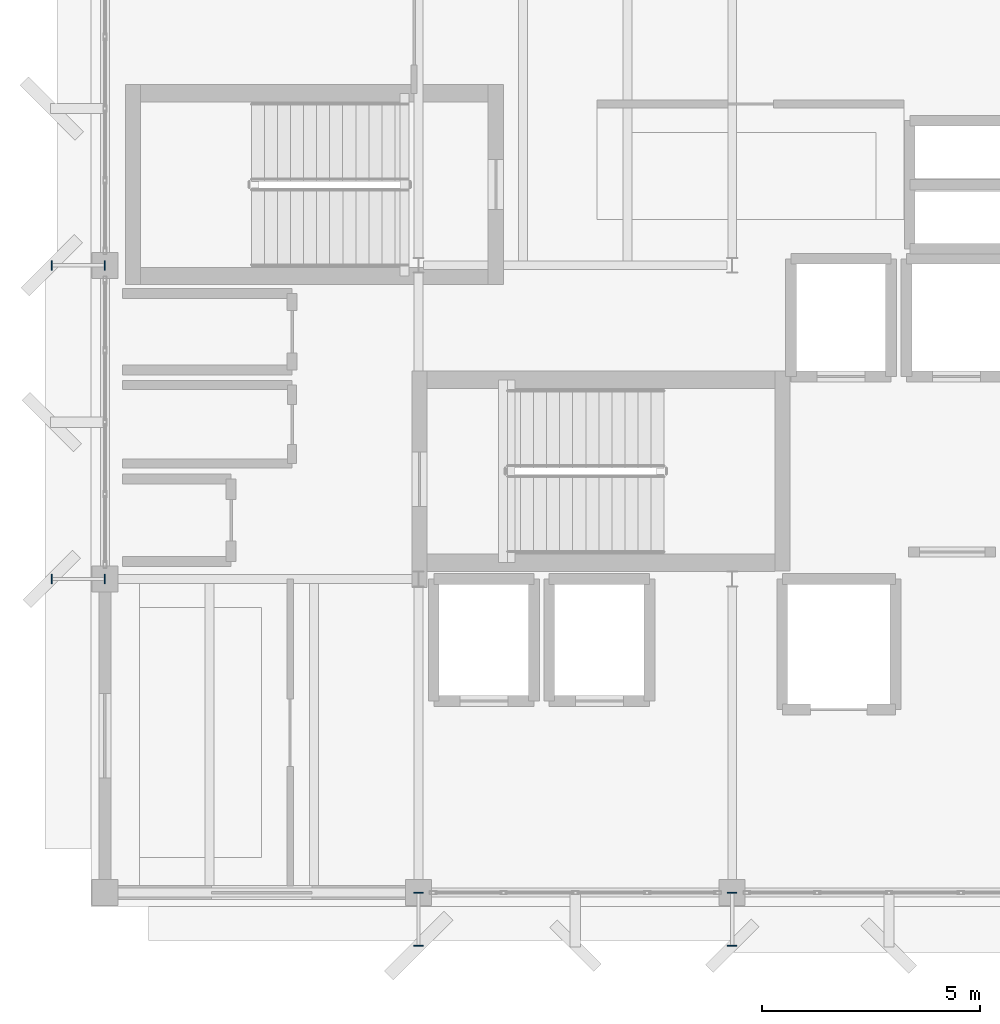
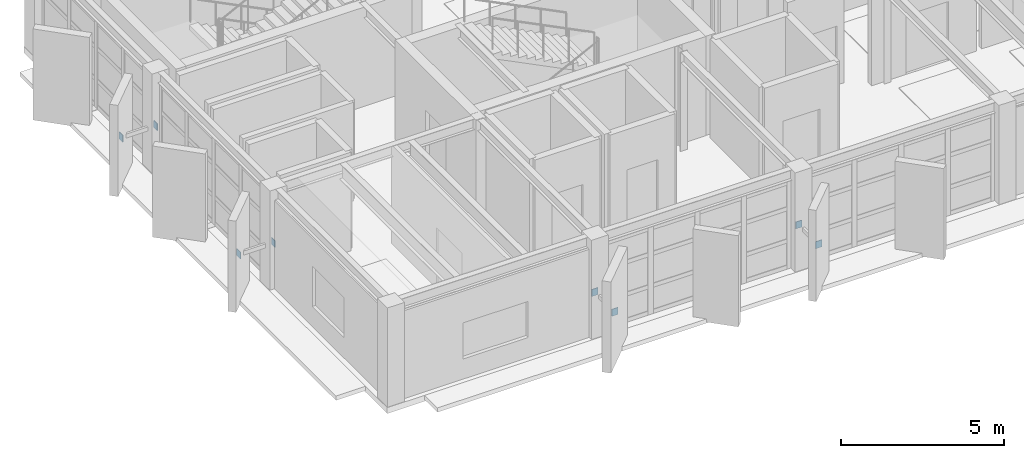
# One storey, part 13 of 15: 8 discrete accessories.
"""IFC4 building model written with IfcOpenShell, lengths in metres."""

from ifc_helpers import new_model, si_unit, direction, frame, origin, origin_2d, place, context, subcontext, project, spatial, rectangle, extrude, material, type_object, element, save


model = new_model("IFC4")

# Units and contexts
model_context = context("Model", 3, precision=1e-05, world=origin(), true_north=direction((0.0, 1.0)))
body_context = subcontext(model_context, "Body", "Model", "MODEL_VIEW")
ifc_project = project(units=[si_unit("LENGTHUNIT", "METRE"), si_unit("AREAUNIT", "SQUARE_METRE"), si_unit("VOLUMEUNIT", "CUBIC_METRE"), si_unit("PLANEANGLEUNIT", "RADIAN"), si_unit("MASSUNIT", "GRAM", prefix="KILO")], contexts=[model_context])

# Site, building, storey
site_placement = place(None, origin())
site = spatial("IfcSite", under=ifc_project, at=site_placement, CompositionType="ELEMENT")
building_placement = place(site_placement, origin())
building = spatial("IfcBuilding", under=site, at=building_placement, Name="Kandorven Conservatory and Botanical Research Centre", CompositionType="ELEMENT")
storey_placement = place(building_placement, frame((0.0, 0.0, 52.199951171875)))
storey = spatial("IfcBuildingStorey", under=building, at=storey_placement, Name="L13", CompositionType="ELEMENT", Elevation=52.199951171875)

# Discrete accessories
ifc_material = material(Name="Steel S355 (IS 2062 E350)", Category="steel")
discrete_accessory_type = type_object("IfcDiscreteAccessoryType", Name="SteelGussetPlate", PredefinedType="BRACKET", material=ifc_material)
for number, where, z_axis, x_axis, name in (
    (1, (13.199951171875, 6.0, 1.3701171875), (0.0, 0.0, 1.0), (1.0, 0.0, 0.0), "Welded steel strut end-plate GUS-01 #109A"),
    (2, (13.199951171875, 4.780029296875, 1.3701171875), (0.0, 0.0, 1.0), (1.0, 0.0, 0.0), "Welded steel strut end-plate GUS-01 #109B"),
    (3, (20.39990234375, 6.0, 1.3701171875), (0.0, 0.0, 1.0), (1.0, 0.0, 0.0), "Welded steel strut end-plate GUS-01 #111A"),
    (4, (20.39990234375, 4.780029296875, 1.3701171875), (0.0, 0.0, 1.0), (1.0, 0.0, 0.0), "Welded steel strut end-plate GUS-01 #111B"),
):
    element("IfcDiscreteAccessory", number, at=place(storey_placement, frame(where, z_axis=z_axis, x_axis=x_axis)), inside=storey, type_object=discrete_accessory_type, Name=name, PredefinedType="BRACKET", context=body_context, shape_type="SweptSolid", body=[
        extrude(rectangle(XDim=0.219970703125, YDim=0.02392578125, at=origin_2d()), origin(), (0.0, 0.0, 1.0), 0.260009765625),
    ])
for number, where, z_axis, x_axis, name in (
    (5, (6.0, 13.199951171875, 1.3701171875), (0.0, 0.0, 1.0), (1.0, 0.0, 0.0), "Welded steel strut end-plate GUS-01 #113A"),
    (6, (4.780029296875, 13.199951171875, 1.3701171875), (0.0, 0.0, 1.0), (1.0, 0.0, 0.0), "Welded steel strut end-plate GUS-01 #113B"),
    (7, (6.0, 20.39990234375, 1.3701171875), (0.0, 0.0, 1.0), (1.0, 0.0, 0.0), "Welded steel strut end-plate GUS-01 #115A"),
    (8, (4.780029296875, 20.39990234375, 1.3701171875), (0.0, 0.0, 1.0), (1.0, 0.0, 0.0), "Welded steel strut end-plate GUS-01 #115B"),
):
    element("IfcDiscreteAccessory", number, at=place(storey_placement, frame(where, z_axis=z_axis, x_axis=x_axis)), inside=storey, type_object=discrete_accessory_type, Name=name, PredefinedType="BRACKET", context=body_context, shape_type="SweptSolid", body=[
        extrude(rectangle(XDim=0.02392578125, YDim=0.219970703125, at=origin_2d()), origin(), (0.0, 0.0, 1.0), 0.260009765625),
    ])

save(model, "model.ifc")
